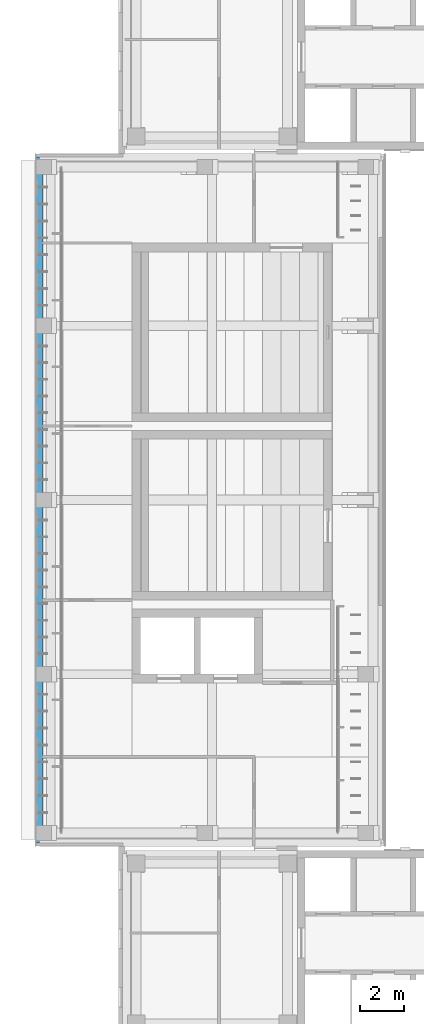
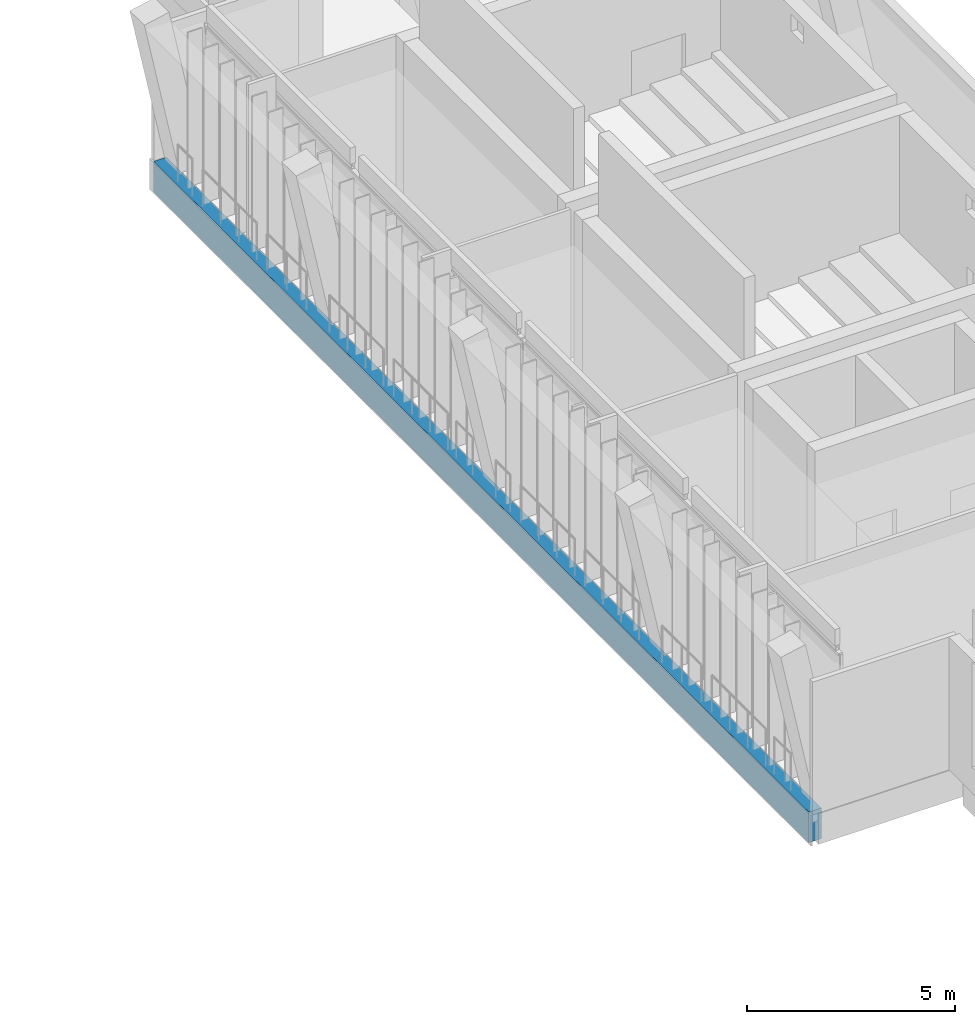
# One storey, part 18 of 74: 1 beam.
"""IFC4 building model written with IfcOpenShell, lengths in metres."""

from ifc_helpers import new_model, si_unit, direction, frame, origin, origin_2d, place, context, subcontext, project, spatial, rectangle, extrude, material, material_profile, profile_set, type_object, element, save


model = new_model("IFC4")

# Units and contexts
model_context = context("Model", 3, precision=1e-05, world=origin(), true_north=direction((0.0, 1.0)))
body_context = subcontext(model_context, "Body", "Model", "MODEL_VIEW")
ifc_project = project(units=[si_unit("LENGTHUNIT", "METRE"), si_unit("AREAUNIT", "SQUARE_METRE"), si_unit("VOLUMEUNIT", "CUBIC_METRE"), si_unit("PLANEANGLEUNIT", "RADIAN"), si_unit("MASSUNIT", "GRAM", prefix="KILO")], contexts=[model_context])

# Site, building, storey
site_placement = place(None, origin())
site = spatial("IfcSite", under=ifc_project, at=site_placement, CompositionType="ELEMENT")
building_placement = place(site_placement, origin())
building = spatial("IfcBuilding", under=site, at=building_placement, Name="Lantern Court Media Centre", CompositionType="ELEMENT")
storey_placement = place(building_placement, frame((0.0, 0.0, 19.199951171875)))
storey = spatial("IfcBuildingStorey", under=building, at=storey_placement, Name="L04", CompositionType="ELEMENT", Elevation=19.199951171875)

# Beam
ifc_material = material(Name="Concrete C35", Category="concrete")
ifc_material_profile = material_profile(ifc_material, rectangle(XDim=0.35009765625, YDim=0.89990234375, at=origin_2d()), Name="RC 350x900")
ifc_profile_set = profile_set([ifc_material_profile], Name="Concrete C35")
beam_type = type_object("IfcBeamType", Name="RC BEAM 350x900", PredefinedType="BEAM", material=ifc_profile_set)
beam_placement = place(storey_placement, frame((4.14990234375, 64.25, -0.449951171875), z_axis=(0.0, 1.0, 0.0), x_axis=(-1.0, 0.0, 0.0)))
element("IfcBeam", 1, at=beam_placement, inside=storey, type_object=beam_type, Name="EB-W-L04-A", PredefinedType="BEAM", context=body_context, shape_type="SweptSolid", body=[
    extrude(rectangle(XDim=0.35009765625, YDim=0.89990234375, at=origin_2d()), origin(), (0.0, 0.0, 1.0), 31.5),
])

save(model, "model.ifc")
